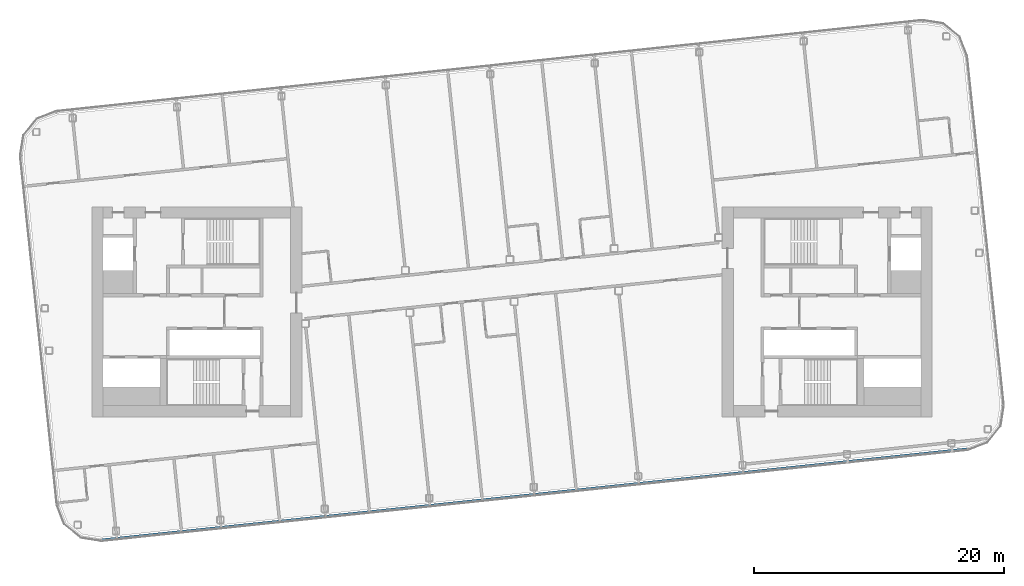
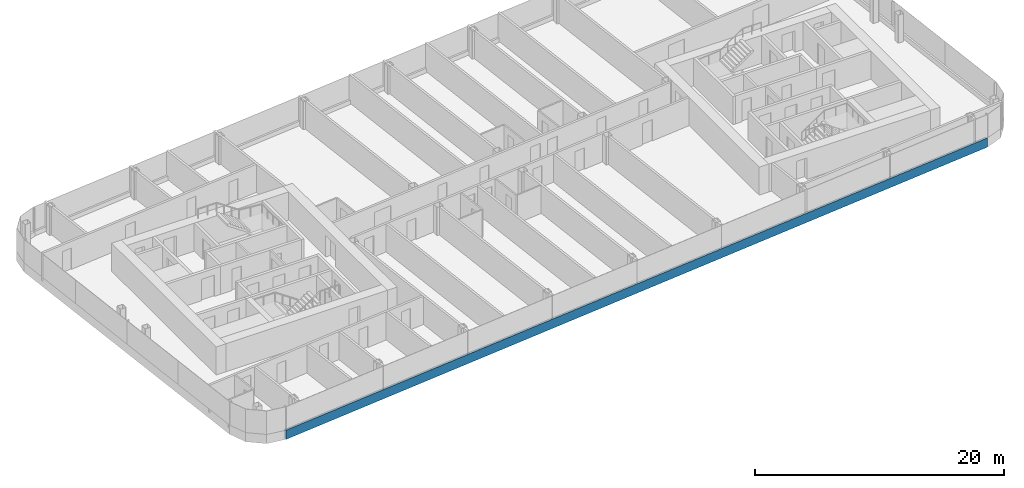
# One storey, part 6 of 27: 1 member, 1 element without a shape of its own.
"""IFC4 building model written with IfcOpenShell, lengths in metres."""

from ifc_helpers import new_model, si_unit, direction, frame, origin, origin_2d, place, context, subcontext, project, spatial, rectangle, extrude, material, layer, layer_set, material_profile, profile_set, type_object, element, aggregate, save


model = new_model("IFC4")

# Units and contexts
model_context = context("Model", 3, precision=1e-05, world=origin(), true_north=direction((0.0, 1.0)))
body_context = subcontext(model_context, "Body", "Model", "MODEL_VIEW")
ifc_project = project(units=[si_unit("LENGTHUNIT", "METRE"), si_unit("AREAUNIT", "SQUARE_METRE"), si_unit("VOLUMEUNIT", "CUBIC_METRE"), si_unit("PLANEANGLEUNIT", "RADIAN"), si_unit("MASSUNIT", "GRAM", prefix="KILO")], contexts=[model_context])

# Site, building, storey
site_placement = place(None, origin())
site = spatial("IfcSite", under=ifc_project, at=site_placement, CompositionType="ELEMENT")
building_placement = place(site_placement, origin())
building = spatial("IfcBuilding", under=site, at=building_placement, Name="Hakoniwa Tower and Hamabe Station Hall", CompositionType="ELEMENT")
storey_placement = place(building_placement, frame((0.0, 0.0, 255.0)))
storey = spatial("IfcBuildingStorey", under=building, at=storey_placement, Name="L72", CompositionType="ELEMENT", Elevation=255.0)

# Curtain wall, member
ifc_material_1 = material(Name="Dark low-e laminated glass", Category="glass")
ifc_layer = layer(ifc_material_1, 0.199951171875)
ifc_layer_set = layer_set([ifc_layer], Name="CW-1 UNITISED GUEST")
curtain_wall_type = type_object("IfcCurtainWallType", Name="CW-1 UNITISED GUEST", PredefinedType="NOTDEFINED", material=ifc_layer_set)
curtain_wall_placement = place(storey_placement, origin())
curtain_wall = element("IfcCurtainWall", 1, at=curtain_wall_placement, inside=storey, type_object=curtain_wall_type, Name="CW-1 curtain wall", PredefinedType="NOTDEFINED")
ifc_material_2 = material(Name="Aluminium 6063-T5 black anodised", Category="aluminium")
ifc_material_profile = material_profile(ifc_material_2, rectangle(XDim=0.199951171875, YDim=0.89990234375, at=origin_2d()), Name="CW SLAB-EDGE BAND 900X200")
ifc_profile_set = profile_set([ifc_material_profile], Name="Aluminium 6063-T5 black anodised")
member_type = type_object("IfcMemberType", Name="CW SLAB-EDGE BAND 900X200", PredefinedType="USERDEFINED", material=ifc_profile_set)
member_placement = place(storey_placement, frame((-32.850830078125, -18.24755859375, -0.10009765625), z_axis=(0.994521894037, 0.10452847593, 0.0), x_axis=(-0.10452847593, 0.994521894037, 0.0)))
member = element("IfcMember", 2, at=member_placement, type_object=member_type, Name="CW-1 transom", ObjectType="TRANSOM", PredefinedType="USERDEFINED", context=body_context, shape_type="SweptSolid", body=[
    extrude(rectangle(XDim=0.199951171875, YDim=0.89990234375, at=origin_2d()), origin(), (0.0, 0.0, 1.0), 69.678955078125),
])
aggregate(curtain_wall, [member])

save(model, "model.ifc")
